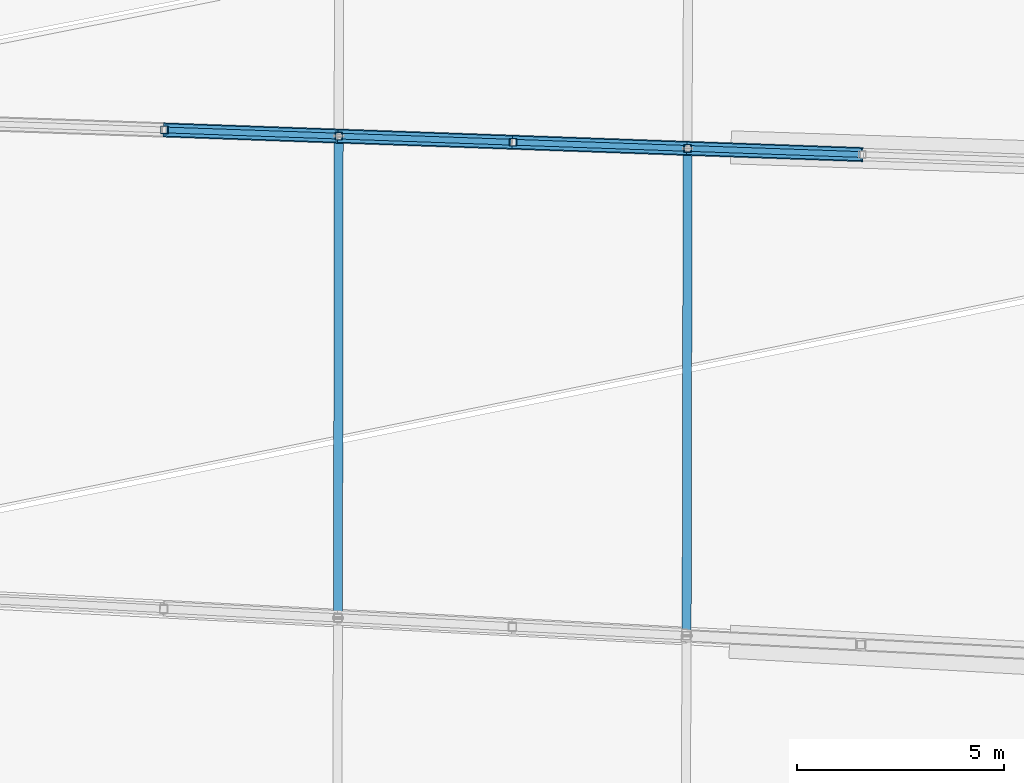
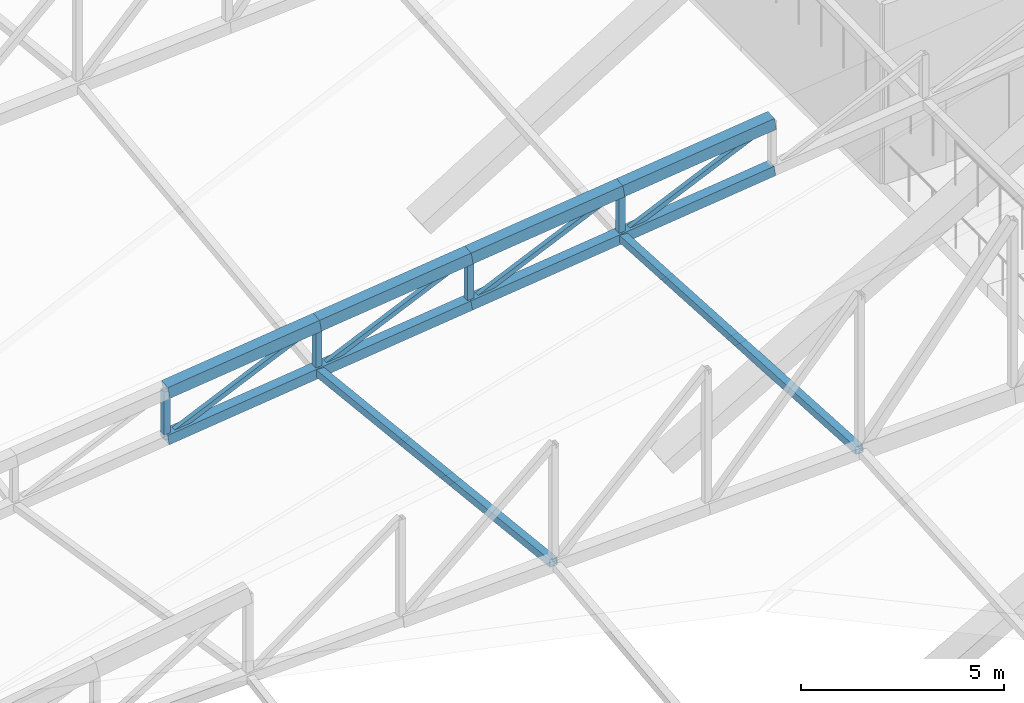
# One storey, part 102 of 344: 18 members.
"""IFC4 building model written with IfcOpenShell, lengths in metres."""

from ifc_helpers import new_model, si_unit, direction, frame, origin, origin_2d, place, context, subcontext, project, spatial, hollow_rectangle, extrude, material, material_profile, profile_set, type_object, element, save


model = new_model("IFC4")

# Units and contexts
model_context = context("Model", 3, precision=1e-05, world=origin(), true_north=direction((0.0, 1.0)))
body_context = subcontext(model_context, "Body", "Model", "MODEL_VIEW")
ifc_project = project(units=[si_unit("LENGTHUNIT", "METRE"), si_unit("AREAUNIT", "SQUARE_METRE"), si_unit("VOLUMEUNIT", "CUBIC_METRE"), si_unit("PLANEANGLEUNIT", "RADIAN"), si_unit("MASSUNIT", "GRAM", prefix="KILO")], contexts=[model_context])

# Site, building, storey
site_placement = place(None, origin())
site = spatial("IfcSite", under=ifc_project, at=site_placement, CompositionType="ELEMENT")
building_placement = place(site_placement, origin())
building = spatial("IfcBuilding", under=site, at=building_placement, Name="Meseta Stadium", CompositionType="ELEMENT")
storey_placement = place(building_placement, frame((0.0, 0.0, 24.0)))
storey = spatial("IfcBuildingStorey", under=building, at=storey_placement, Name="L04", CompositionType="ELEMENT", Elevation=24.0)

# Members
ifc_material_1 = material(Name="Steel S355", Category="steel")
ifc_material_profile_1 = material_profile(ifc_material_1, hollow_rectangle(XDim=0.139892578125, YDim=0.139892578125, WallThickness=0.0048828125, at=origin_2d()), Name="SHS 140x140x5")
ifc_profile_set_1 = profile_set([ifc_material_profile_1], Name="Steel S355")
member_type_1 = type_object("IfcMemberType", Name="SHS 140x140x5 diagonal", PredefinedType="BRACE", material=ifc_profile_set_1)
for number, where, z_axis, x_axis, name in (
    (1, (59.655517578125, -17.518310546875, 3.001220703125), (0.89806549, -0.031697040381, 0.438718216286), (0.035272835107, 0.999377719936, 0.0), "ROOF TRUSS RT-03 diagonal"),
    (2, (63.875, -17.667236328125, 3.634521484375), (0.898097491679, -0.031644374707, 0.438656504556), (0.035213047643, 0.999379828331, 0.0), "ROOF TRUSS RT-03 diagonal"),
):
    element("IfcMember", number, at=place(storey_placement, frame(where, z_axis=z_axis, x_axis=x_axis)), inside=storey, type_object=member_type_1, Name=name, PredefinedType="BRACE", context=body_context, shape_type="SweptSolid", body=[
        extrude(hollow_rectangle(XDim=0.139892578125, YDim=0.139892578125, WallThickness=0.0048828125, at=origin_2d()), origin(), (0.0, 0.0, 1.0), 4.698486328125),
    ])
member_1_placement = place(storey_placement, frame((68.0947265625, -17.81591796875, 4.267578125), z_axis=(0.898087440592, -0.031645851491, 0.438676975842), x_axis=(0.035215082554, 0.999379756629, 0.0)))
element("IfcMember", 3, at=member_1_placement, inside=storey, type_object=member_type_1, Name="ROOF TRUSS RT-03 diagonal", PredefinedType="BRACE", context=body_context, shape_type="SweptSolid", body=[
    extrude(hollow_rectangle(XDim=0.139892578125, YDim=0.139892578125, WallThickness=0.0048828125, at=origin_2d()), origin(), (0.0, 0.0, 1.0), 4.6982421875),
])
member_2_placement = place(storey_placement, frame((72.314208984375, -17.964599609375, 4.900634765625), z_axis=(0.898077020721, -0.031643653415, 0.438698465977), x_axis=(0.035213047643, 0.999379828331, 0.0)))
element("IfcMember", 4, at=member_2_placement, inside=storey, type_object=member_type_1, Name="ROOF TRUSS RT-03 diagonal", PredefinedType="BRACE", context=body_context, shape_type="SweptSolid", body=[
    extrude(hollow_rectangle(XDim=0.139892578125, YDim=0.139892578125, WallThickness=0.0048828125, at=origin_2d()), origin(), (0.0, 0.0, 1.0), 4.69873046875),
])
ifc_material_2 = material(Name="Steel S355", Category="steel")
ifc_material_profile_2 = material_profile(ifc_material_2, hollow_rectangle(XDim=0.179931640625, YDim=0.179931640625, WallThickness=0.00634765625, at=origin_2d()), Name="SHS 180x180x6.3")
ifc_profile_set_2 = profile_set([ifc_material_profile_2], Name="Steel S355")
member_type_2 = type_object("IfcMemberType", Name="SHS 180x180x6.3 post", PredefinedType="POST", material=ifc_profile_set_2)
member_3_placement = place(storey_placement, frame((59.655517578125, -17.518310546875, 3.001220703125), z_axis=(0.0, 0.0, 1.0), x_axis=(1.0, 0.0, 0.0)))
element("IfcMember", 5, at=member_3_placement, inside=storey, type_object=member_type_2, Name="ROOF TRUSS RT-03 post", PredefinedType="POST", context=body_context, shape_type="SweptSolid", body=[
    extrude(hollow_rectangle(XDim=0.179931640625, YDim=0.179931640625, WallThickness=0.00634765625, at=origin_2d()), origin(), (0.0, 0.0, 1.0), 1.42822265625),
])
for number, where, z_axis, x_axis, name in (
    (6, (63.875, -17.667236328125, 3.634521484375), (0.0, 0.0, 1.0), (1.0, 0.0, 0.0), "ROOF TRUSS RT-03 post"),
    (7, (68.0947265625, -17.81591796875, 4.267578125), (0.0, 0.0, 1.0), (1.0, 0.0, 0.0), "ROOF TRUSS RT-03 post"),
    (8, (72.314208984375, -17.964599609375, 4.900634765625), (0.0, 0.0, 1.0), (1.0, 0.0, 0.0), "ROOF TRUSS RT-03 post"),
):
    element("IfcMember", number, at=place(storey_placement, frame(where, z_axis=z_axis, x_axis=x_axis)), inside=storey, type_object=member_type_2, Name=name, PredefinedType="POST", context=body_context, shape_type="SweptSolid", body=[
        extrude(hollow_rectangle(XDim=0.179931640625, YDim=0.179931640625, WallThickness=0.00634765625, at=origin_2d()), origin(), (0.0, 0.0, 1.0), 1.427978515625),
    ])
ifc_material_3 = material(Name="Steel S355", Category="steel")
ifc_material_profile_3 = material_profile(ifc_material_3, hollow_rectangle(XDim=0.219970703125, YDim=0.219970703125, WallThickness=0.008056640625, at=origin_2d()), Name="SHS 220x220x8")
ifc_profile_set_3 = profile_set([ifc_material_profile_3], Name="Steel S355")
member_type_3 = type_object("IfcMemberType", Name="SHS 220x220x8 strut", PredefinedType="STRUT", material=ifc_profile_set_3)
member_4_placement = place(storey_placement, frame((63.857421875, -29.3203125, 4.9287109375), z_axis=(0.001499234263, 0.993888203001, -0.110381122627), x_axis=(-0.999998862286, 0.001508451909, 0.0)))
element("IfcMember", 9, at=member_4_placement, inside=storey, type_object=member_type_3, Name="ROOF TRUSS STRUT RT-02/03", PredefinedType="STRUT", context=body_context, shape_type="SweptSolid", body=[
    extrude(hollow_rectangle(XDim=0.219970703125, YDim=0.219970703125, WallThickness=0.008056640625, at=origin_2d()), origin(), (0.0, 0.0, 1.0), 11.724853515625),
])
member_5_placement = place(storey_placement, frame((72.290771484375, -29.75390625, 5.624755859375), z_axis=(0.001984287005, 0.998117033405, -0.061306200606), x_axis=(-0.999998023873, 0.001988026472, 0.0)))
element("IfcMember", 10, at=member_5_placement, inside=storey, type_object=member_type_3, Name="ROOF TRUSS STRUT RT-02/03", PredefinedType="STRUT", context=body_context, shape_type="SweptSolid", body=[
    extrude(hollow_rectangle(XDim=0.219970703125, YDim=0.219970703125, WallThickness=0.008056640625, at=origin_2d()), origin(), (0.0, 0.0, 1.0), 11.8115234375),
])
ifc_material_4 = material(Name="Steel S355", Category="steel")
ifc_material_profile_4 = material_profile(ifc_material_4, hollow_rectangle(XDim=0.300048828125, YDim=0.300048828125, WallThickness=0.010009765625, at=origin_2d()), Name="SHS 300x300x10")
ifc_profile_set_4 = profile_set([ifc_material_profile_4], Name="Steel S355")
member_type_4 = type_object("IfcMemberType", Name="SHS 300x300x10 bottom chord", PredefinedType="CHORD", material=ifc_profile_set_4)
member_6_placement = place(storey_placement, frame((59.655517578125, -17.518310546875, 3.001220703125), z_axis=(0.988321496008, -0.034882607913, 0.148336860536), x_axis=(0.035272835107, 0.999377719936, 0.0)))
element("IfcMember", 11, at=member_6_placement, inside=storey, type_object=member_type_4, Name="ROOF TRUSS RT-03 bottom chord", PredefinedType="CHORD", context=body_context, shape_type="SweptSolid", body=[
    extrude(hollow_rectangle(XDim=0.300048828125, YDim=0.300048828125, WallThickness=0.010009765625, at=origin_2d()), origin(), (0.0, 0.0, 1.0), 4.269287109375),
])
member_7_placement = place(storey_placement, frame((63.875, -17.667236328125, 3.634521484375), z_axis=(0.988333174505, -0.034823819907, 0.148272848964), x_axis=(0.035213047643, 0.999379828331, 0.0)))
element("IfcMember", 12, at=member_7_placement, inside=storey, type_object=member_type_4, Name="ROOF TRUSS RT-03 bottom chord", PredefinedType="CHORD", context=body_context, shape_type="SweptSolid", body=[
    extrude(hollow_rectangle(XDim=0.300048828125, YDim=0.300048828125, WallThickness=0.010009765625, at=origin_2d()), origin(), (0.0, 0.0, 1.0), 4.26953125),
])
member_8_placement = place(storey_placement, frame((68.0947265625, -17.81591796875, 4.267578125), z_axis=(0.988331847912, -0.03482578808, 0.148281229048), x_axis=(0.035215082554, 0.999379756629, 0.0)))
element("IfcMember", 13, at=member_8_placement, inside=storey, type_object=member_type_4, Name="ROOF TRUSS RT-03 bottom chord", PredefinedType="CHORD", context=body_context, shape_type="SweptSolid", body=[
    extrude(hollow_rectangle(XDim=0.300048828125, YDim=0.300048828125, WallThickness=0.010009765625, at=origin_2d()), origin(), (0.0, 0.0, 1.0), 4.269287109375),
])
member_9_placement = place(storey_placement, frame((72.314208984375, -17.964599609375, 4.900634765625), z_axis=(0.988333174505, -0.034823819907, 0.148272848964), x_axis=(0.035213047643, 0.999379828331, 0.0)))
element("IfcMember", 14, at=member_9_placement, inside=storey, type_object=member_type_4, Name="ROOF TRUSS RT-03 bottom chord", PredefinedType="CHORD", context=body_context, shape_type="SweptSolid", body=[
    extrude(hollow_rectangle(XDim=0.300048828125, YDim=0.300048828125, WallThickness=0.010009765625, at=origin_2d()), origin(), (0.0, 0.0, 1.0), 4.26953125),
])
ifc_material_5 = material(Name="Steel S355", Category="steel")
ifc_material_profile_5 = material_profile(ifc_material_5, hollow_rectangle(XDim=0.35009765625, YDim=0.35009765625, WallThickness=0.010009765625, at=origin_2d()), Name="SHS 350x350x10")
ifc_profile_set_5 = profile_set([ifc_material_profile_5], Name="Steel S355")
member_type_5 = type_object("IfcMemberType", Name="SHS 350x350x10 top chord", PredefinedType="CHORD", material=ifc_profile_set_5)
member_10_placement = place(storey_placement, frame((59.655517578125, -17.518310546875, 4.429443359375), z_axis=(0.988329878019, -0.034882903755, 0.148280933501), x_axis=(0.035272835107, 0.999377719936, 0.0)))
element("IfcMember", 15, at=member_10_placement, inside=storey, type_object=member_type_5, Name="ROOF TRUSS RT-03 top chord", PredefinedType="CHORD", context=body_context, shape_type="SweptSolid", body=[
    extrude(hollow_rectangle(XDim=0.35009765625, YDim=0.35009765625, WallThickness=0.010009765625, at=origin_2d()), origin(), (0.0, 0.0, 1.0), 4.269287109375),
])
member_11_placement = place(storey_placement, frame((63.875, -17.667236328125, 5.0625), z_axis=(0.988333174505, -0.034823819907, 0.148272848964), x_axis=(0.035213047643, 0.999379828331, 0.0)))
element("IfcMember", 16, at=member_11_placement, inside=storey, type_object=member_type_5, Name="ROOF TRUSS RT-03 top chord", PredefinedType="CHORD", context=body_context, shape_type="SweptSolid", body=[
    extrude(hollow_rectangle(XDim=0.35009765625, YDim=0.35009765625, WallThickness=0.010009765625, at=origin_2d()), origin(), (0.0, 0.0, 1.0), 4.26953125),
])
member_12_placement = place(storey_placement, frame((68.0947265625, -17.81591796875, 5.695556640625), z_axis=(0.988331847912, -0.03482578808, 0.148281229048), x_axis=(0.035215082554, 0.999379756629, 0.0)))
element("IfcMember", 17, at=member_12_placement, inside=storey, type_object=member_type_5, Name="ROOF TRUSS RT-03 top chord", PredefinedType="CHORD", context=body_context, shape_type="SweptSolid", body=[
    extrude(hollow_rectangle(XDim=0.35009765625, YDim=0.35009765625, WallThickness=0.010009765625, at=origin_2d()), origin(), (0.0, 0.0, 1.0), 4.269287109375),
])
member_13_placement = place(storey_placement, frame((72.314208984375, -17.964599609375, 6.32861328125), z_axis=(0.98832479338, -0.034823524599, 0.148328773087), x_axis=(0.035213047643, 0.999379828331, 0.0)))
element("IfcMember", 18, at=member_13_placement, inside=storey, type_object=member_type_5, Name="ROOF TRUSS RT-03 top chord", PredefinedType="CHORD", context=body_context, shape_type="SweptSolid", body=[
    extrude(hollow_rectangle(XDim=0.35009765625, YDim=0.35009765625, WallThickness=0.010009765625, at=origin_2d()), origin(), (0.0, 0.0, 1.0), 4.26953125),
])

save(model, "model.ifc")
